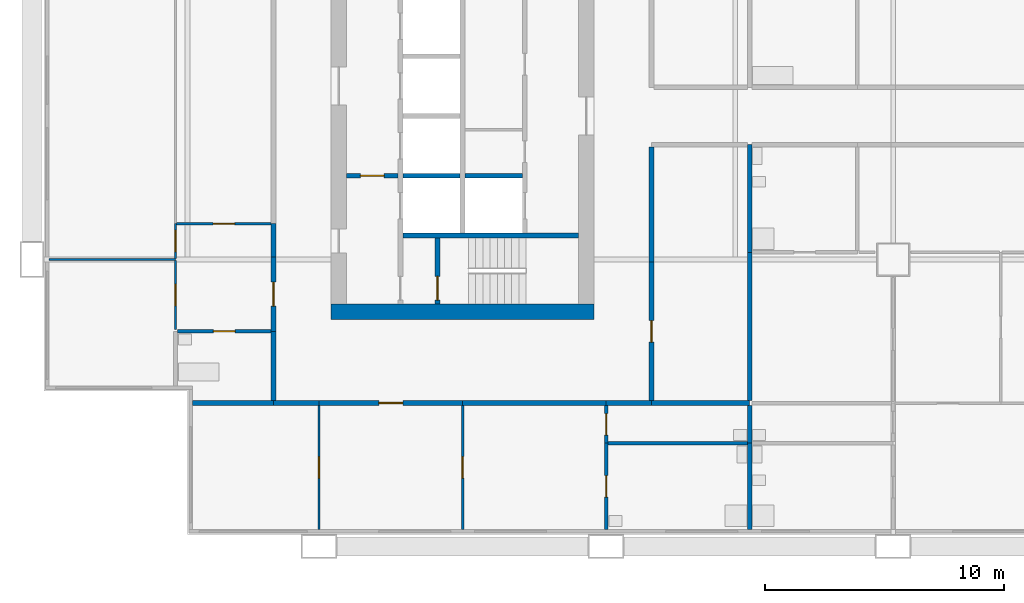
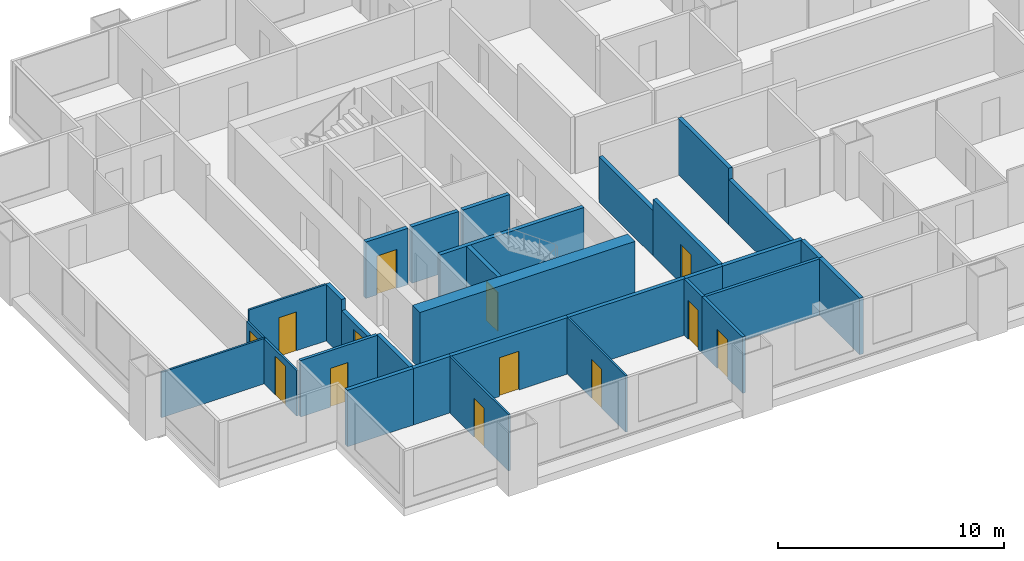
# One storey, part 2 of 11: 31 walls, 13 doors, 13 openings.
"""IFC4 building model written with IfcOpenShell, lengths in metres."""

from ifc_helpers import new_model, si_unit, direction, frame, frame_2d, origin, place, context, subcontext, project, spatial, rectangle, extrude, material, layer, layer_set, type_object, element, fill, save


model = new_model("IFC4")

# Units and contexts
model_context = context("Model", 3, precision=1e-05, world=origin(), true_north=direction((0.0, 1.0)))
body_context = subcontext(model_context, "Body", "Model", "MODEL_VIEW")
ifc_project = project(units=[si_unit("LENGTHUNIT", "METRE"), si_unit("AREAUNIT", "SQUARE_METRE"), si_unit("VOLUMEUNIT", "CUBIC_METRE"), si_unit("PLANEANGLEUNIT", "RADIAN"), si_unit("MASSUNIT", "GRAM", prefix="KILO")], contexts=[model_context])

# Site, building, storey
site_placement = place(None, origin())
site = spatial("IfcSite", under=ifc_project, at=site_placement, CompositionType="ELEMENT")
building_placement = place(site_placement, origin())
building = spatial("IfcBuilding", under=site, at=building_placement, Name="Kitamizu Gate Tower and Museum", CompositionType="ELEMENT")
storey_placement = place(building_placement, frame((0.0, 0.0, 110.39990234375)))
storey = spatial("IfcBuildingStorey", under=building, at=storey_placement, Name="L28", CompositionType="ELEMENT", Elevation=110.39990234375)

# Wall
ifc_material_1 = material(Name="Concrete Fc60", Category="concrete")
ifc_layer_1 = layer(ifc_material_1, 0.64990234375)
ifc_layer_set_1 = layer_set([ifc_layer_1], Name="Concrete Fc60")
wall_type_1 = type_object("IfcWallType", Name="Core wall 650", PredefinedType="SHEAR", material=ifc_layer_set_1)
wall_1_placement = place(storey_placement, frame((12.5, 21.824951171875, 0.0), z_axis=(0.0, 0.0, 1.0), x_axis=(1.0, 0.0, 0.0)))
element("IfcWall", 1, at=wall_1_placement, inside=storey, type_object=wall_type_1, Name="Core wall WS", PredefinedType="SHEAR", context=body_context, shape_type="SweptSolid", body=[
    extrude(rectangle(XDim=11.0, YDim=0.64990234375, at=frame_2d((5.5, 0.0))), origin(), (0.0, 0.0, 1.0), 3.050048828125),
])

# Wall, opening, door
ifc_material_2 = material(Name="Gypsum board on galvanised stud")
ifc_layer_2 = layer(ifc_material_2, 0.10009765625)
ifc_layer_set_2 = layer_set([ifc_layer_2], Name="Gypsum board on galvanised stud")
wall_type_2 = type_object("IfcWallType", Name="Partition 100 NOT RATED", PredefinedType="PARTITIONING", material=ifc_layer_set_2)
wall_2_placement = place(storey_placement, frame((12.0, 12.719970703125, 0.0), z_axis=(0.0, 0.0, 1.0), x_axis=(0.0, 1.0, 0.0)))
wall_2 = element("IfcWall", 2, at=wall_2_placement, inside=storey, type_object=wall_type_2, Name="Partition L28-001", PredefinedType="PARTITIONING", context=body_context, shape_type="SweptSolid", body=[
    extrude(rectangle(XDim=5.179931640625, YDim=0.10009765625, at=frame_2d((2.58984375, 0.0))), origin(), (0.0, 0.0, 1.0), 3.050048828125),
])
opening_1_placement = place(wall_2_placement, frame((2.139892578125, 0.0, 0.0)))
opening_1 = element("IfcOpeningElement", 3, at=opening_1_placement, cuts=wall_2, Name="Opening L28-002", PredefinedType="OPENING", context=body_context, shape_type="SweptSolid", body=[
    extrude(rectangle(XDim=0.89990234375, YDim=2.10009765625, at=frame_2d((0.449951171875, 1.050048828125))), frame((0.0, 0.06005859375, 0.0), z_axis=(0.0, -1.0, 0.0), x_axis=(1.0, 0.0, 0.0)), (0.0, 0.0, 1.0), 0.1201171875),
])
ifc_material_3 = material(Name="Timber door set", Category="wood")
door_type_1 = type_object("IfcDoorType", Name="Room door 900", OperationType="NOTDEFINED", PredefinedType="DOOR", material=ifc_material_3)
door_1_placement = place(opening_1_placement, origin())
door_1 = element("IfcDoor", 4, at=door_1_placement, inside=storey, type_object=door_type_1, Name="Door L28-002", OperationType="SINGLE_SWING_LEFT", OverallHeight=2.10009765625, OverallWidth=0.89990234375, PredefinedType="DOOR", context=body_context, shape_type="SweptSolid", body=[
    extrude(rectangle(XDim=0.89990234375, YDim=2.10009765625, at=frame_2d((0.449951171875, 1.050048828125))), frame((0.0, 0.02490234375, 0.0), z_axis=(0.0, -1.0, 0.0), x_axis=(1.0, 0.0, 0.0)), (0.0, 0.0, 1.0), 0.050048828125),
])
fill(opening_1, door_1)

wall_3_placement = place(storey_placement, frame((18.0, 12.719970703125, 0.0), z_axis=(0.0, 0.0, 1.0), x_axis=(0.0, 1.0, 0.0)))
wall_3 = element("IfcWall", 5, at=wall_3_placement, inside=storey, type_object=wall_type_2, Name="Partition L28-004", PredefinedType="PARTITIONING", context=body_context, shape_type="SweptSolid", body=[
    extrude(rectangle(XDim=5.179931640625, YDim=0.10009765625, at=frame_2d((2.58984375, 0.0))), origin(), (0.0, 0.0, 1.0), 3.050048828125),
])
opening_2_placement = place(wall_3_placement, frame((2.139892578125, 0.0, 0.0)))
opening_2 = element("IfcOpeningElement", 6, at=opening_2_placement, cuts=wall_3, Name="Opening L28-003", PredefinedType="OPENING", context=body_context, shape_type="SweptSolid", body=[
    extrude(rectangle(XDim=0.89990234375, YDim=2.10009765625, at=frame_2d((0.449951171875, 1.050048828125))), frame((0.0, 0.06005859375, 0.0), z_axis=(0.0, -1.0, 0.0), x_axis=(1.0, 0.0, 0.0)), (0.0, 0.0, 1.0), 0.1201171875),
])
door_2_placement = place(opening_2_placement, frame((0.89990234375, 0.0, 0.0), x_axis=(-1.0, 0.0, 0.0)))
door_2 = element("IfcDoor", 7, at=door_2_placement, inside=storey, type_object=door_type_1, Name="Door L28-003", OperationType="SINGLE_SWING_LEFT", OverallHeight=2.10009765625, OverallWidth=0.89990234375, PredefinedType="DOOR", context=body_context, shape_type="SweptSolid", body=[
    extrude(rectangle(XDim=0.89990234375, YDim=2.10009765625, at=frame_2d((0.449951171875, 1.050048828125))), frame((0.0, 0.02490234375, 0.0), z_axis=(0.0, -1.0, 0.0), x_axis=(1.0, 0.0, 0.0)), (0.0, 0.0, 1.0), 0.050048828125),
])
fill(opening_2, door_2)

# Wall
wall_4_placement = place(storey_placement, frame((6.0, 24.0, 0.0), z_axis=(0.0, 0.0, 1.0), x_axis=(-1.0, 0.0, 0.0)))
element("IfcWall", 8, at=wall_4_placement, inside=storey, type_object=wall_type_2, Name="Partition L28-019", PredefinedType="PARTITIONING", context=body_context, shape_type="SweptSolid", body=[
    extrude(rectangle(XDim=5.280029296875, YDim=0.10009765625, at=frame_2d((2.64013671875, 0.0))), origin(), (0.0, 0.0, 1.0), 2.4501953125),
])

# Wall, opening, door
wall_5_placement = place(storey_placement, frame((6.0, 21.074951171875, 0.0), z_axis=(0.0, 0.0, 1.0), x_axis=(0.0, 1.0, 0.0)))
wall_5 = element("IfcWall", 9, at=wall_5_placement, inside=storey, type_object=wall_type_2, Name="Partition L28-021", PredefinedType="PARTITIONING", context=body_context, shape_type="SweptSolid", body=[
    extrude(rectangle(XDim=2.875, YDim=0.10009765625, at=frame_2d((1.4375, 0.0))), origin(), (0.0, 0.0, 1.0), 2.4501953125),
])
opening_3_placement = place(wall_5_placement, frame((0.987548828125, 0.0, 0.0)))
opening_3 = element("IfcOpeningElement", 10, at=opening_3_placement, cuts=wall_5, Name="Opening L28-007", PredefinedType="OPENING", context=body_context, shape_type="SweptSolid", body=[
    extrude(rectangle(XDim=0.89990234375, YDim=2.10009765625, at=frame_2d((0.449951171875, 1.050048828125))), frame((0.0, 0.06005859375, 0.0), z_axis=(0.0, -1.0, 0.0), x_axis=(1.0, 0.0, 0.0)), (0.0, 0.0, 1.0), 0.1201171875),
])
door_3_placement = place(opening_3_placement, origin())
door_3 = element("IfcDoor", 11, at=door_3_placement, inside=storey, type_object=door_type_1, Name="Door L28-007", OperationType="SINGLE_SWING_LEFT", OverallHeight=2.10009765625, OverallWidth=0.89990234375, PredefinedType="DOOR", context=body_context, shape_type="SweptSolid", body=[
    extrude(rectangle(XDim=0.89990234375, YDim=2.10009765625, at=frame_2d((0.449951171875, 1.050048828125))), frame((0.0, 0.02490234375, 0.0), z_axis=(0.0, -1.0, 0.0), x_axis=(1.0, 0.0, 0.0)), (0.0, 0.0, 1.0), 0.050048828125),
])
fill(opening_3, door_3)

wall_6_placement = place(storey_placement, frame((6.0, 24.050048828125, 0.0), z_axis=(0.0, 0.0, 1.0), x_axis=(0.0, 1.0, 0.0)))
wall_6 = element("IfcWall", 12, at=wall_6_placement, inside=storey, type_object=wall_type_2, Name="Partition L28-023", PredefinedType="PARTITIONING", context=body_context, shape_type="SweptSolid", body=[
    extrude(rectangle(XDim=1.449951171875, YDim=0.10009765625, at=frame_2d((0.72509765625, 0.0))), origin(), (0.0, 0.0, 1.0), 2.4501953125),
])
opening_4_placement = place(wall_6_placement, frame((0.27490234375, 0.0, 0.0)))
opening_4 = element("IfcOpeningElement", 13, at=opening_4_placement, cuts=wall_6, Name="Opening L28-008", PredefinedType="OPENING", context=body_context, shape_type="SweptSolid", body=[
    extrude(rectangle(XDim=0.89990234375, YDim=2.10009765625, at=frame_2d((0.449951171875, 1.050048828125))), frame((0.0, 0.06005859375, 0.0), z_axis=(0.0, -1.0, 0.0), x_axis=(1.0, 0.0, 0.0)), (0.0, 0.0, 1.0), 0.1201171875),
])
door_4_placement = place(opening_4_placement, origin())
door_4 = element("IfcDoor", 14, at=door_4_placement, inside=storey, type_object=door_type_1, Name="Door L28-008", OperationType="SINGLE_SWING_RIGHT", OverallHeight=2.10009765625, OverallWidth=0.89990234375, PredefinedType="DOOR", context=body_context, shape_type="SweptSolid", body=[
    extrude(rectangle(XDim=0.89990234375, YDim=2.10009765625, at=frame_2d((0.449951171875, 1.050048828125))), frame((0.0, 0.02490234375, 0.0), z_axis=(0.0, -1.0, 0.0), x_axis=(1.0, 0.0, 0.0)), (0.0, 0.0, 1.0), 0.050048828125),
])
fill(opening_4, door_4)

wall_7_placement = place(storey_placement, frame((10.0, 25.5, 0.0), z_axis=(0.0, 0.0, 1.0), x_axis=(-1.0, 0.0, 0.0)))
wall_7 = element("IfcWall", 15, at=wall_7_placement, inside=storey, type_object=wall_type_2, Name="Partition L28-029", PredefinedType="PARTITIONING", context=body_context, shape_type="SweptSolid", body=[
    extrude(rectangle(XDim=3.949951171875, YDim=0.10009765625, at=frame_2d((1.97509765625, 0.0))), origin(), (0.0, 0.0, 1.0), 3.050048828125),
])
opening_5_placement = place(wall_7_placement, frame((1.52490234375, 0.0, 0.0)))
opening_5 = element("IfcOpeningElement", 16, at=opening_5_placement, cuts=wall_7, Name="Opening L28-009", PredefinedType="OPENING", context=body_context, shape_type="SweptSolid", body=[
    extrude(rectangle(XDim=0.89990234375, YDim=2.10009765625, at=frame_2d((0.449951171875, 1.050048828125))), frame((0.0, 0.06005859375, 0.0), z_axis=(0.0, -1.0, 0.0), x_axis=(1.0, 0.0, 0.0)), (0.0, 0.0, 1.0), 0.1201171875),
])
door_5_placement = place(opening_5_placement, origin())
door_5 = element("IfcDoor", 17, at=door_5_placement, inside=storey, type_object=door_type_1, Name="Door L28-009", OperationType="SINGLE_SWING_LEFT", OverallHeight=2.10009765625, OverallWidth=0.89990234375, PredefinedType="DOOR", context=body_context, shape_type="SweptSolid", body=[
    extrude(rectangle(XDim=0.89990234375, YDim=2.10009765625, at=frame_2d((0.449951171875, 1.050048828125))), frame((0.0, 0.02490234375, 0.0), z_axis=(0.0, -1.0, 0.0), x_axis=(1.0, 0.0, 0.0)), (0.0, 0.0, 1.0), 0.050048828125),
])
fill(opening_5, door_5)

ifc_material_4 = material(Name="Gypsum board on galvanised stud")
ifc_layer_3 = layer(ifc_material_4, 0.14990234375)
ifc_layer_set_3 = layer_set([ifc_layer_3], Name="Gypsum board on galvanised stud")
wall_type_3 = type_object("IfcWallType", Name="Partition 150", PredefinedType="PARTITIONING", material=ifc_layer_set_3)
wall_8_placement = place(storey_placement, frame((24.0, 12.719970703125, 0.0), z_axis=(0.0, 0.0, 1.0), x_axis=(0.0, 1.0, 0.0)))
wall_8 = element("IfcWall", 18, at=wall_8_placement, inside=storey, type_object=wall_type_3, Name="Partition L28-006", PredefinedType="PARTITIONING", context=body_context, shape_type="SweptSolid", body=[
    extrude(rectangle(XDim=3.60009765625, YDim=0.14990234375, at=frame_2d((1.800048828125, 0.0))), origin(), (0.0, 0.0, 1.0), 3.050048828125),
])
opening_6_placement = place(wall_8_placement, frame((1.35009765625, 0.0, 0.0)))
opening_6 = element("IfcOpeningElement", 19, at=opening_6_placement, cuts=wall_8, Name="Opening L28-004", PredefinedType="OPENING", context=body_context, shape_type="SweptSolid", body=[
    extrude(rectangle(XDim=0.89990234375, YDim=2.10009765625, at=frame_2d((0.449951171875, 1.050048828125))), frame((0.0, 0.0849609375, 0.0), z_axis=(0.0, -1.0, 0.0), x_axis=(1.0, 0.0, 0.0)), (0.0, 0.0, 1.0), 0.169921875),
])
ifc_material_5 = material(Name="Timber door set", Category="wood")
door_type_2 = type_object("IfcDoorType", Name="Bathroom door 900", OperationType="NOTDEFINED", PredefinedType="DOOR", material=ifc_material_5)
door_6_placement = place(opening_6_placement, frame((0.89990234375, 0.0, 0.0), x_axis=(-1.0, 0.0, 0.0)))
door_6 = element("IfcDoor", 20, at=door_6_placement, inside=storey, type_object=door_type_2, Name="Bathroom door L28-004", OperationType="SINGLE_SWING_RIGHT", OverallHeight=2.10009765625, OverallWidth=0.89990234375, PredefinedType="DOOR", context=body_context, shape_type="SweptSolid", body=[
    extrude(rectangle(XDim=0.89990234375, YDim=2.10009765625, at=frame_2d((0.449951171875, 1.050048828125))), frame((0.0, 0.02490234375, 0.0), z_axis=(0.0, -1.0, 0.0), x_axis=(1.0, 0.0, 0.0)), (0.0, 0.0, 1.0), 0.050048828125),
])
fill(opening_6, door_6)

wall_9_placement = place(storey_placement, frame((24.0, 16.320068359375, 0.0), z_axis=(0.0, 0.0, 1.0), x_axis=(0.0, 1.0, 0.0)))
wall_9 = element("IfcWall", 21, at=wall_9_placement, inside=storey, type_object=wall_type_3, Name="Partition L28-007", PredefinedType="PARTITIONING", context=body_context, shape_type="SweptSolid", body=[
    extrude(rectangle(XDim=1.579833984375, YDim=0.14990234375, at=frame_2d((0.7900390625, 0.0))), origin(), (0.0, 0.0, 1.0), 3.050048828125),
])
opening_7_placement = place(wall_9_placement, frame((0.340087890625, 0.0, 0.0)))
opening_7 = element("IfcOpeningElement", 22, at=opening_7_placement, cuts=wall_9, Name="Opening L28-005", PredefinedType="OPENING", context=body_context, shape_type="SweptSolid", body=[
    extrude(rectangle(XDim=0.89990234375, YDim=2.10009765625, at=frame_2d((0.449951171875, 1.050048828125))), frame((0.0, 0.0849609375, 0.0), z_axis=(0.0, -1.0, 0.0), x_axis=(1.0, 0.0, 0.0)), (0.0, 0.0, 1.0), 0.169921875),
])
door_7_placement = place(opening_7_placement, frame((0.89990234375, 0.0, 0.0), x_axis=(-1.0, 0.0, 0.0)))
door_7 = element("IfcDoor", 23, at=door_7_placement, inside=storey, type_object=door_type_2, Name="Bathroom door L28-005", OperationType="SINGLE_SWING_LEFT", OverallHeight=2.10009765625, OverallWidth=0.89990234375, PredefinedType="DOOR", context=body_context, shape_type="SweptSolid", body=[
    extrude(rectangle(XDim=0.89990234375, YDim=2.10009765625, at=frame_2d((0.449951171875, 1.050048828125))), frame((0.0, 0.02490234375, 0.0), z_axis=(0.0, -1.0, 0.0), x_axis=(1.0, 0.0, 0.0)), (0.0, 0.0, 1.0), 0.050048828125),
])
fill(opening_7, door_7)

# Wall
wall_10_placement = place(storey_placement, frame((29.89990234375, 16.320068359375, 0.0), z_axis=(0.0, 0.0, 1.0), x_axis=(-1.0, 0.0, 0.0)))
element("IfcWall", 24, at=wall_10_placement, inside=storey, type_object=wall_type_3, Name="Partition L28-009", PredefinedType="PARTITIONING", context=body_context, shape_type="SweptSolid", body=[
    extrude(rectangle(XDim=5.824951171875, YDim=0.14990234375, at=frame_2d((2.91259765625, 0.0))), origin(), (0.0, 0.0, 1.0), 3.050048828125),
])

# Wall, opening, door
wall_11_placement = place(storey_placement, frame((10.0, 21.0, 0.0), z_axis=(0.0, 0.0, 1.0), x_axis=(-1.0, 0.0, 0.0)))
wall_11 = element("IfcWall", 25, at=wall_11_placement, inside=storey, type_object=wall_type_3, Name="Partition L28-027", PredefinedType="PARTITIONING", context=body_context, shape_type="SweptSolid", body=[
    extrude(rectangle(XDim=3.925048828125, YDim=0.14990234375, at=frame_2d((1.96240234375, 0.0))), origin(), (0.0, 0.0, 1.0), 3.050048828125),
])
opening_8_placement = place(wall_11_placement, frame((1.512451171875, 0.0, 0.0)))
opening_8 = element("IfcOpeningElement", 26, at=opening_8_placement, cuts=wall_11, Name="Opening L28-011", PredefinedType="OPENING", context=body_context, shape_type="SweptSolid", body=[
    extrude(rectangle(XDim=0.89990234375, YDim=2.10009765625, at=frame_2d((0.449951171875, 1.050048828125))), frame((0.0, 0.0849609375, 0.0), z_axis=(0.0, -1.0, 0.0), x_axis=(1.0, 0.0, 0.0)), (0.0, 0.0, 1.0), 0.169921875),
])
door_8_placement = place(opening_8_placement, origin())
door_8 = element("IfcDoor", 27, at=door_8_placement, inside=storey, type_object=door_type_2, Name="Bathroom door L28-011", OperationType="SINGLE_SWING_LEFT", OverallHeight=2.10009765625, OverallWidth=0.89990234375, PredefinedType="DOOR", context=body_context, shape_type="SweptSolid", body=[
    extrude(rectangle(XDim=0.89990234375, YDim=2.10009765625, at=frame_2d((0.449951171875, 1.050048828125))), frame((0.0, 0.02490234375, 0.0), z_axis=(0.0, -1.0, 0.0), x_axis=(1.0, 0.0, 0.0)), (0.0, 0.0, 1.0), 0.050048828125),
])
fill(opening_8, door_8)

# Walls
ifc_material_6 = material(Name="Gypsum board on galvanised stud")
ifc_layer_4 = layer(ifc_material_6, 0.199951171875)
ifc_layer_set_4 = layer_set([ifc_layer_4], Name="Gypsum board on galvanised stud")
wall_type_4 = type_object("IfcWallType", Name="Partition 200", PredefinedType="PARTITIONING", material=ifc_layer_set_4)
wall_12_placement = place(storey_placement, frame((10.10009765625, 18.0, 0.0), z_axis=(0.0, 0.0, 1.0), x_axis=(-1.0, 0.0, 0.0)))
element("IfcWall", 28, at=wall_12_placement, inside=storey, type_object=wall_type_4, Name="Partition L28-002", PredefinedType="PARTITIONING", context=body_context, shape_type="SweptSolid", body=[
    extrude(rectangle(XDim=3.380126953125, YDim=0.199951171875, at=frame_2d((1.68994140625, 0.0))), origin(), (0.0, 0.0, 1.0), 3.050048828125),
])
wall_13_placement = place(storey_placement, frame((12.0, 18.0, 0.0), z_axis=(0.0, 0.0, 1.0), x_axis=(-1.0, 0.0, 0.0)))
element("IfcWall", 29, at=wall_13_placement, inside=storey, type_object=wall_type_4, Name="Partition L28-003", PredefinedType="PARTITIONING", context=body_context, shape_type="SweptSolid", body=[
    extrude(rectangle(XDim=1.89990234375, YDim=0.199951171875, at=frame_2d((0.949951171875, 0.0))), origin(), (0.0, 0.0, 1.0), 3.050048828125),
])

# Wall, opening, door
wall_14_placement = place(storey_placement, frame((18.0, 18.0, 0.0), z_axis=(0.0, 0.0, 1.0), x_axis=(-1.0, 0.0, 0.0)))
wall_14 = element("IfcWall", 30, at=wall_14_placement, inside=storey, type_object=wall_type_4, Name="Partition L28-005", PredefinedType="PARTITIONING", context=body_context, shape_type="SweptSolid", body=[
    extrude(rectangle(XDim=6.0, YDim=0.199951171875, at=frame_2d((3.0, 0.0))), origin(), (0.0, 0.0, 1.0), 3.050048828125),
])
opening_9_placement = place(wall_14_placement, frame((2.5, 0.0, 0.0)))
opening_9 = element("IfcOpeningElement", 31, at=opening_9_placement, cuts=wall_14, Name="Opening L28-001", PredefinedType="OPENING", context=body_context, shape_type="SweptSolid", body=[
    extrude(rectangle(XDim=1.0, YDim=2.10009765625, at=frame_2d((0.5, 1.050048828125))), frame((0.0, 0.10986328125, 0.0), z_axis=(0.0, -1.0, 0.0), x_axis=(1.0, 0.0, 0.0)), (0.0, 0.0, 1.0), 0.219970703125),
])
ifc_material_7 = material(Name="Timber door set", Category="wood")
door_type_3 = type_object("IfcDoorType", Name="Flat entrance door 1000", OperationType="NOTDEFINED", PredefinedType="DOOR", material=ifc_material_7)
door_9_placement = place(opening_9_placement, origin())
door_9 = element("IfcDoor", 32, at=door_9_placement, inside=storey, type_object=door_type_3, Name="Flat entrance door L28-001", OperationType="SINGLE_SWING_RIGHT", OverallHeight=2.10009765625, OverallWidth=1.0, PredefinedType="DOOR", context=body_context, shape_type="SweptSolid", body=[
    extrude(rectangle(XDim=1.0, YDim=2.10009765625, at=frame_2d((0.5, 1.050048828125))), frame((0.0, 0.02490234375, 0.0), z_axis=(0.0, -1.0, 0.0), x_axis=(1.0, 0.0, 0.0)), (0.0, 0.0, 1.0), 0.050048828125),
])
fill(opening_9, door_9)

# Walls
wall_15_placement = place(storey_placement, frame((24.0, 18.0, 0.0), z_axis=(0.0, 0.0, 1.0), x_axis=(-1.0, 0.0, 0.0)))
element("IfcWall", 33, at=wall_15_placement, inside=storey, type_object=wall_type_4, Name="Partition L28-008", PredefinedType="PARTITIONING", context=body_context, shape_type="SweptSolid", body=[
    extrude(rectangle(XDim=6.0, YDim=0.199951171875, at=frame_2d((3.0, 0.0))), origin(), (0.0, 0.0, 1.0), 3.050048828125),
])
wall_16_placement = place(storey_placement, frame((30.0, 12.719970703125, 0.0), z_axis=(0.0, 0.0, 1.0), x_axis=(0.0, 1.0, 0.0)))
element("IfcWall", 34, at=wall_16_placement, inside=storey, type_object=wall_type_4, Name="Partition L28-010", PredefinedType="PARTITIONING", context=body_context, shape_type="SweptSolid", body=[
    extrude(rectangle(XDim=3.60009765625, YDim=0.199951171875, at=frame_2d((1.800048828125, 0.0))), origin(), (0.0, 0.0, 1.0), 3.050048828125),
])
wall_17_placement = place(storey_placement, frame((30.0, 18.0, 0.0), z_axis=(0.0, 0.0, 1.0), x_axis=(-1.0, 0.0, 0.0)))
element("IfcWall", 35, at=wall_17_placement, inside=storey, type_object=wall_type_4, Name="Partition L28-011", PredefinedType="PARTITIONING", context=body_context, shape_type="SweptSolid", body=[
    extrude(rectangle(XDim=4.10009765625, YDim=0.199951171875, at=frame_2d((2.050048828125, 0.0))), origin(), (0.0, 0.0, 1.0), 3.050048828125),
])
wall_18_placement = place(storey_placement, frame((30.0, 16.320068359375, 0.0), z_axis=(0.0, 0.0, 1.0), x_axis=(0.0, 1.0, 0.0)))
element("IfcWall", 36, at=wall_18_placement, inside=storey, type_object=wall_type_4, Name="Partition L28-012", PredefinedType="PARTITIONING", context=body_context, shape_type="SweptSolid", body=[
    extrude(rectangle(XDim=1.579833984375, YDim=0.199951171875, at=frame_2d((0.7900390625, 0.0))), origin(), (0.0, 0.0, 1.0), 3.050048828125),
])
wall_19_placement = place(storey_placement, frame((25.89990234375, 18.0, 0.0), z_axis=(0.0, 0.0, 1.0), x_axis=(-1.0, 0.0, 0.0)))
element("IfcWall", 37, at=wall_19_placement, inside=storey, type_object=wall_type_4, Name="Partition L28-013", PredefinedType="PARTITIONING", context=body_context, shape_type="SweptSolid", body=[
    extrude(rectangle(XDim=1.89990234375, YDim=0.199951171875, at=frame_2d((0.949951171875, 0.0))), origin(), (0.0, 0.0, 1.0), 3.050048828125),
])
wall_20_placement = place(storey_placement, frame((30.0, 18.10009765625, 0.0), z_axis=(0.0, 0.0, 1.0), x_axis=(0.0, 1.0, 0.0)))
element("IfcWall", 38, at=wall_20_placement, inside=storey, type_object=wall_type_4, Name="Partition L28-014", PredefinedType="PARTITIONING", context=body_context, shape_type="SweptSolid", body=[
    extrude(rectangle(XDim=6.199951171875, YDim=0.199951171875, at=frame_2d((3.10009765625, 0.0))), origin(), (0.0, 0.0, 1.0), 2.4501953125),
])
wall_21_placement = place(storey_placement, frame((30.0, 24.300048828125, 0.0), z_axis=(0.0, 0.0, 1.0), x_axis=(0.0, 1.0, 0.0)))
element("IfcWall", 39, at=wall_21_placement, inside=storey, type_object=wall_type_4, Name="Partition L28-015", PredefinedType="PARTITIONING", context=body_context, shape_type="SweptSolid", body=[
    extrude(rectangle(XDim=4.5, YDim=0.199951171875, at=frame_2d((2.25, 0.0))), origin(), (0.0, 0.0, 1.0), 3.050048828125),
])
wall_22_placement = place(storey_placement, frame((25.89990234375, 28.699951171875, 0.0), z_axis=(0.0, 0.0, 1.0), x_axis=(0.0, -1.0, 0.0)))
element("IfcWall", 40, at=wall_22_placement, inside=storey, type_object=wall_type_4, Name="Partition L28-017", PredefinedType="PARTITIONING", context=body_context, shape_type="SweptSolid", body=[
    extrude(rectangle(XDim=4.800048828125, YDim=0.199951171875, at=frame_2d((2.39990234375, 0.0))), origin(), (0.0, 0.0, 1.0), 2.4501953125),
])

# Wall, opening, door
wall_23_placement = place(storey_placement, frame((25.89990234375, 23.89990234375, 0.0), z_axis=(0.0, 0.0, 1.0), x_axis=(0.0, -1.0, 0.0)))
wall_23 = element("IfcWall", 41, at=wall_23_placement, inside=storey, type_object=wall_type_4, Name="Partition L28-018", PredefinedType="PARTITIONING", context=body_context, shape_type="SweptSolid", body=[
    extrude(rectangle(XDim=5.7998046875, YDim=0.199951171875, at=frame_2d((2.89990234375, 0.0))), origin(), (0.0, 0.0, 1.0), 3.050048828125),
])
opening_10_placement = place(wall_23_placement, frame((2.449951171875, 0.0, 0.0)))
opening_10 = element("IfcOpeningElement", 42, at=opening_10_placement, cuts=wall_23, Name="Opening L28-051", PredefinedType="OPENING", context=body_context, shape_type="SweptSolid", body=[
    extrude(rectangle(XDim=0.89990234375, YDim=2.10009765625, at=frame_2d((0.449951171875, 1.050048828125))), frame((0.0, 0.10986328125, 0.0), z_axis=(0.0, -1.0, 0.0), x_axis=(1.0, 0.0, 0.0)), (0.0, 0.0, 1.0), 0.219970703125),
])
door_10_placement = place(opening_10_placement, origin())
door_10 = element("IfcDoor", 43, at=door_10_placement, inside=storey, type_object=door_type_1, Name="Door L28-051", OperationType="SINGLE_SWING_RIGHT", OverallHeight=2.10009765625, OverallWidth=0.89990234375, PredefinedType="DOOR", context=body_context, shape_type="SweptSolid", body=[
    extrude(rectangle(XDim=0.89990234375, YDim=2.10009765625, at=frame_2d((0.449951171875, 1.050048828125))), frame((0.0, 0.02490234375, 0.0), z_axis=(0.0, -1.0, 0.0), x_axis=(1.0, 0.0, 0.0)), (0.0, 0.0, 1.0), 0.050048828125),
])
fill(opening_10, door_10)

# Wall
wall_24_placement = place(storey_placement, frame((10.10009765625, 18.10009765625, 0.0), z_axis=(0.0, 0.0, 1.0), x_axis=(0.0, 1.0, 0.0)))
element("IfcWall", 44, at=wall_24_placement, inside=storey, type_object=wall_type_4, Name="Partition L28-028", PredefinedType="PARTITIONING", context=body_context, shape_type="SweptSolid", body=[
    extrude(rectangle(XDim=2.89990234375, YDim=0.199951171875, at=frame_2d((1.449951171875, 0.0))), origin(), (0.0, 0.0, 1.0), 3.050048828125),
])

# Wall, opening, door
wall_25_placement = place(storey_placement, frame((10.10009765625, 21.0, 0.0), z_axis=(0.0, 0.0, 1.0), x_axis=(0.0, 1.0, 0.0)))
wall_25 = element("IfcWall", 45, at=wall_25_placement, inside=storey, type_object=wall_type_4, Name="Partition L28-030", PredefinedType="PARTITIONING", context=body_context, shape_type="SweptSolid", body=[
    extrude(rectangle(XDim=3.10009765625, YDim=0.199951171875, at=frame_2d((1.550048828125, 0.0))), origin(), (0.0, 0.0, 1.0), 2.4501953125),
])
opening_11_placement = place(wall_25_placement, frame((1.050048828125, 0.0, 0.0)))
opening_11 = element("IfcOpeningElement", 46, at=opening_11_placement, cuts=wall_25, Name="Opening L28-006", PredefinedType="OPENING", context=body_context, shape_type="SweptSolid", body=[
    extrude(rectangle(XDim=1.0, YDim=2.10009765625, at=frame_2d((0.5, 1.050048828125))), frame((0.0, 0.10986328125, 0.0), z_axis=(0.0, -1.0, 0.0), x_axis=(1.0, 0.0, 0.0)), (0.0, 0.0, 1.0), 0.219970703125),
])
door_11_placement = place(opening_11_placement, origin())
door_11 = element("IfcDoor", 47, at=door_11_placement, inside=storey, type_object=door_type_3, Name="Flat entrance door L28-006", OperationType="SINGLE_SWING_RIGHT", OverallHeight=2.10009765625, OverallWidth=1.0, PredefinedType="DOOR", context=body_context, shape_type="SweptSolid", body=[
    extrude(rectangle(XDim=1.0, YDim=2.10009765625, at=frame_2d((0.5, 1.050048828125))), frame((0.0, 0.02490234375, 0.0), z_axis=(0.0, -1.0, 0.0), x_axis=(1.0, 0.0, 0.0)), (0.0, 0.0, 1.0), 0.050048828125),
])
fill(opening_11, door_11)

# Walls
wall_26_placement = place(storey_placement, frame((10.10009765625, 24.10009765625, 0.0), z_axis=(0.0, 0.0, 1.0), x_axis=(0.0, 1.0, 0.0)))
element("IfcWall", 48, at=wall_26_placement, inside=storey, type_object=wall_type_4, Name="Partition L28-031", PredefinedType="PARTITIONING", context=body_context, shape_type="SweptSolid", body=[
    extrude(rectangle(XDim=1.39990234375, YDim=0.199951171875, at=frame_2d((0.699951171875, 0.0))), origin(), (0.0, 0.0, 1.0), 3.050048828125),
])
ifc_material_8 = material(Name="Concrete Fc42", Category="concrete")
ifc_layer_5 = layer(ifc_material_8, 0.199951171875)
ifc_layer_set_5 = layer_set([ifc_layer_5], Name="Concrete Fc42")
wall_type_5 = type_object("IfcWallType", Name="Shaft wall 200", PredefinedType="SOLIDWALL", material=ifc_layer_set_5)
wall_27_placement = place(storey_placement, frame((15.5, 25.0, 0.0), z_axis=(0.0, 0.0, 1.0), x_axis=(1.0, 0.0, 0.0)))
element("IfcWall", 49, at=wall_27_placement, inside=storey, type_object=wall_type_5, Name="Shaft wall WSB", PredefinedType="SOLIDWALL", context=body_context, shape_type="SweptSolid", body=[
    extrude(rectangle(XDim=7.35009765625, YDim=0.199951171875, at=frame_2d((3.675048828125, 0.0))), origin(), (0.0, 0.0, 1.0), 3.050048828125),
])

# Wall, opening, door
wall_28_placement = place(storey_placement, frame((13.14990234375, 27.5, 0.0), z_axis=(0.0, 0.0, 1.0), x_axis=(1.0, 0.0, 0.0)))
wall_28 = element("IfcWall", 50, at=wall_28_placement, inside=storey, type_object=wall_type_5, Name="Shaft wall WFFN", PredefinedType="SOLIDWALL", context=body_context, shape_type="SweptSolid", body=[
    extrude(rectangle(XDim=2.150146484375, YDim=0.199951171875, at=frame_2d((1.0751953125, 0.0))), origin(), (0.0, 0.0, 1.0), 3.050048828125),
])
opening_12_placement = place(wall_28_placement, frame((0.574951171875, 0.0, 0.0)))
opening_12 = element("IfcOpeningElement", 51, at=opening_12_placement, cuts=wall_28, Name="Opening L28-057", PredefinedType="OPENING", context=body_context, shape_type="SweptSolid", body=[
    extrude(rectangle(XDim=1.0, YDim=2.10009765625, at=frame_2d((0.5, 1.050048828125))), frame((0.0, 0.10986328125, 0.0), z_axis=(0.0, -1.0, 0.0), x_axis=(1.0, 0.0, 0.0)), (0.0, 0.0, 1.0), 0.219970703125),
])
ifc_material_9 = material(Name="Hollow metal door set")
door_type_4 = type_object("IfcDoorType", Name="Fire door 1000", OperationType="NOTDEFINED", PredefinedType="DOOR", material=ifc_material_9)
door_12_placement = place(opening_12_placement, frame((1.0, 0.0, 0.0), x_axis=(-1.0, 0.0, 0.0)))
door_12 = element("IfcDoor", 52, at=door_12_placement, inside=storey, type_object=door_type_4, Name="Fire-fighting lobby door L28-057", OperationType="SINGLE_SWING_LEFT", OverallHeight=2.10009765625, OverallWidth=1.0, PredefinedType="DOOR", context=body_context, shape_type="SweptSolid", body=[
    extrude(rectangle(XDim=1.0, YDim=2.10009765625, at=frame_2d((0.5, 1.050048828125))), frame((0.0, 0.02490234375, 0.0), z_axis=(0.0, -1.0, 0.0), x_axis=(1.0, 0.0, 0.0)), (0.0, 0.0, 1.0), 0.050048828125),
])
fill(opening_12, door_12)

wall_29_placement = place(storey_placement, frame((16.949951171875, 22.14990234375, 0.0), z_axis=(0.0, 0.0, 1.0), x_axis=(0.0, 1.0, 0.0)))
wall_29 = element("IfcWall", 53, at=wall_29_placement, inside=storey, type_object=wall_type_5, Name="Shaft wall WSZ", PredefinedType="SOLIDWALL", context=body_context, shape_type="SweptSolid", body=[
    extrude(rectangle(XDim=2.75, YDim=0.199951171875, at=frame_2d((1.375, 0.0))), origin(), (0.0, 0.0, 1.0), 3.050048828125),
])
opening_13_placement = place(wall_29_placement, frame((0.14990234375, 0.0, 0.0)))
opening_13 = element("IfcOpeningElement", 54, at=opening_13_placement, cuts=wall_29, Name="Opening L28-053", PredefinedType="OPENING", context=body_context, shape_type="SweptSolid", body=[
    extrude(rectangle(XDim=1.0, YDim=2.10009765625, at=frame_2d((0.5, 1.050048828125))), frame((0.0, 0.10986328125, 0.0), z_axis=(0.0, -1.0, 0.0), x_axis=(1.0, 0.0, 0.0)), (0.0, 0.0, 1.0), 0.219970703125),
])
door_13_placement = place(opening_13_placement, frame((1.0, 0.0, 0.0), x_axis=(-1.0, 0.0, 0.0)))
door_13 = element("IfcDoor", 55, at=door_13_placement, inside=storey, type_object=door_type_4, Name="Stair door L28-053", OperationType="SINGLE_SWING_LEFT", OverallHeight=2.10009765625, OverallWidth=1.0, PredefinedType="DOOR", context=body_context, shape_type="SweptSolid", body=[
    extrude(rectangle(XDim=1.0, YDim=2.10009765625, at=frame_2d((0.5, 1.050048828125))), frame((0.0, 0.02490234375, 0.0), z_axis=(0.0, -1.0, 0.0), x_axis=(1.0, 0.0, 0.0)), (0.0, 0.0, 1.0), 0.050048828125),
])
fill(opening_13, door_13)

# Walls
for number, where, z_axis, x_axis, name in (
    (56, (15.5, 27.5, 0.0), (0.0, 0.0, 1.0), (1.0, 0.0, 0.0), "Shaft wall WDVW0"),
    (57, (18.10009765625, 27.5, 0.0), (0.0, 0.0, 1.0), (1.0, 0.0, 0.0), "Shaft wall WDVE0"),
):
    element("IfcWall", number, at=place(storey_placement, frame(where, z_axis=z_axis, x_axis=x_axis)), inside=storey, type_object=wall_type_5, Name=name, PredefinedType="SOLIDWALL", context=body_context, shape_type="SweptSolid", body=[
        extrude(rectangle(XDim=2.39990234375, YDim=0.199951171875, at=frame_2d((1.199951171875, 0.0))), origin(), (0.0, 0.0, 1.0), 3.050048828125),
    ])

save(model, "model.ifc")
